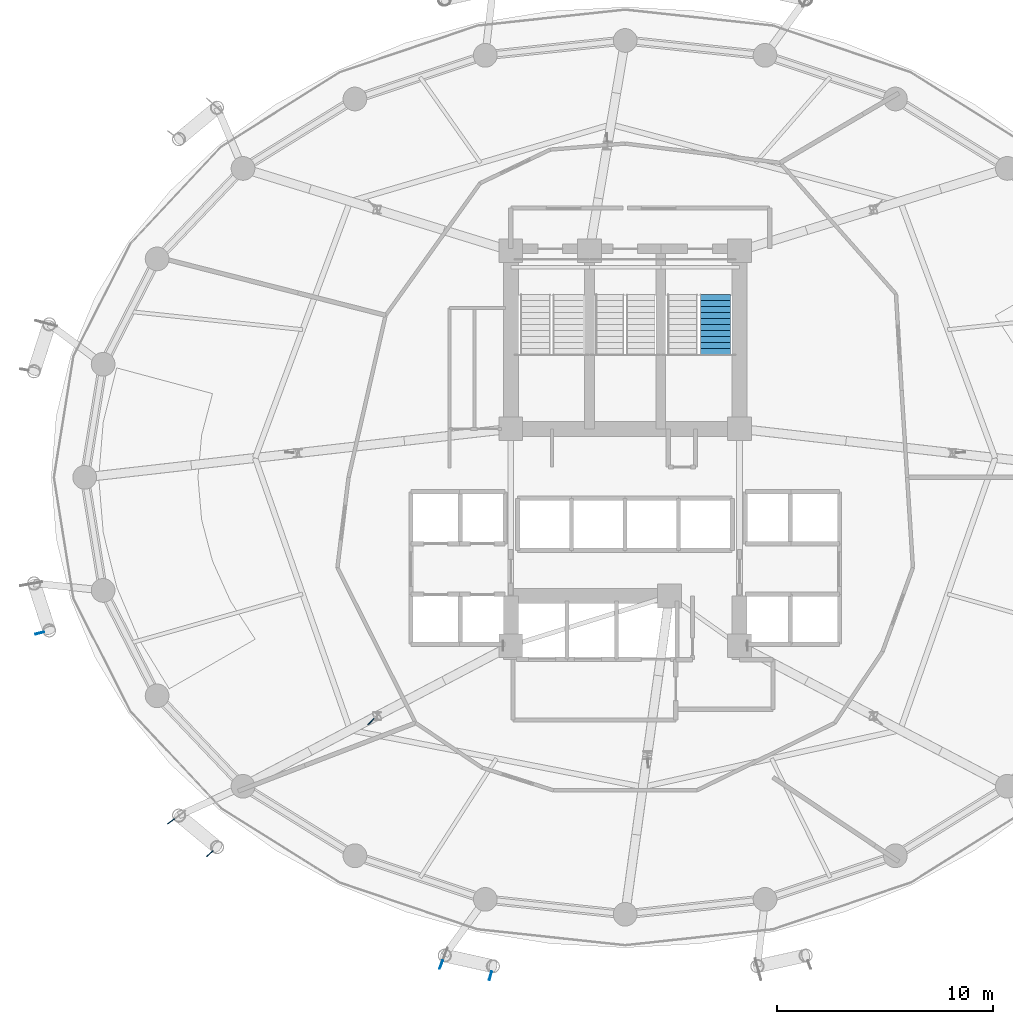
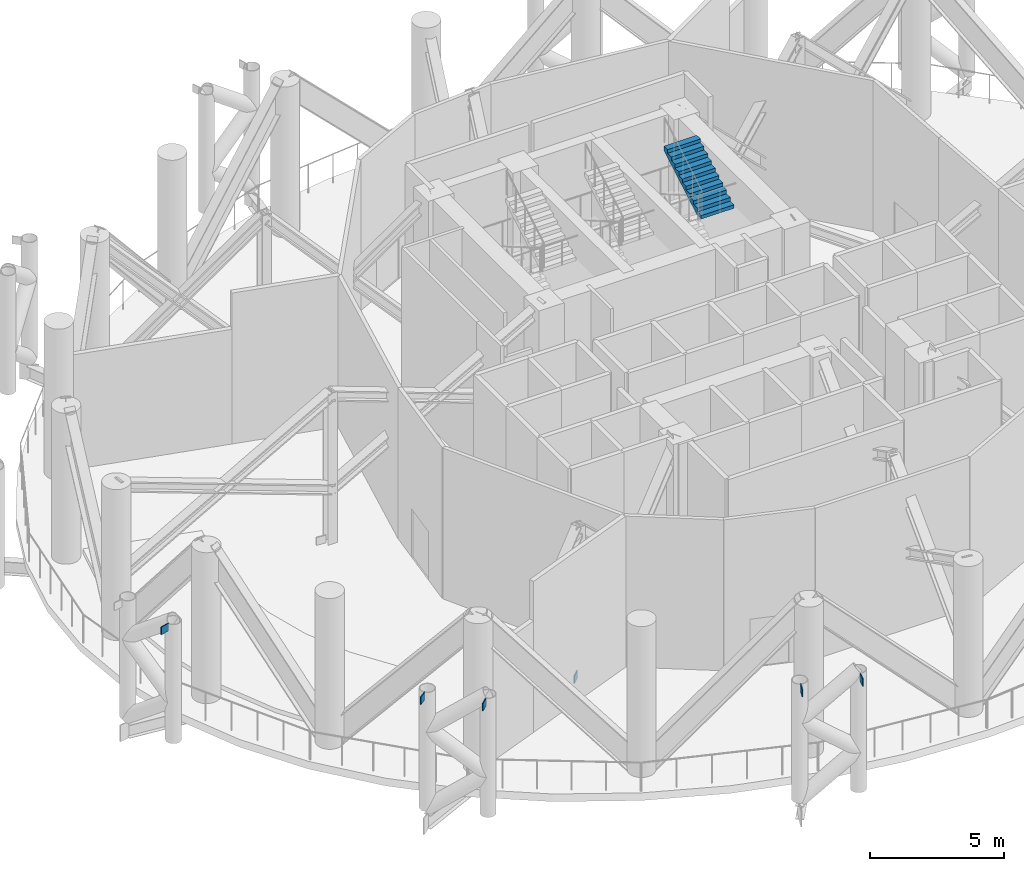
# One storey, part 11 of 19: 6 discrete accessories, 1 stair flight, 1 element without a shape of its own.
"""IFC4 building model written with IfcOpenShell, lengths in metres."""

import ifcopenshell
import ifcopenshell.guid

model = None  # the IFC model being written
_history = None  # IfcOwnerHistory: only IFC2X3 demands one
_inside = {}  # id of a spatial element -> (the spatial element, [elements in it])
_under = {}  # id of a project, library or spatial element -> (it, [spatial elements below it])
_declared = {}  # id of a project -> (the project, [libraries it declares])
_typed = {}  # id of a type object -> (the type object, [elements of that type])
_made_of = {}  # id of a material, layer set ... -> (it, [elements and type objects made of it])


def new_model(schema):
    """Start an empty IFC model of exactly this schema.

    Asked for "IFC4X3", IfcOpenShell would pick the latest addendum, in which some entities
    have other attributes; the version numbers below select the first issue.
    IFC2X3 requires an IfcOwnerHistory on every rooted entity: one is made here for all.
    """
    global model, _history
    if schema == "IFC4X3":
        model = ifcopenshell.file(schema_version=(4, 3, 0, 0))
    else:
        model = ifcopenshell.file(schema=schema)
    _inside.clear()
    _under.clear()
    _declared.clear()
    _typed.clear()
    _made_of.clear()
    _history = None
    if model.schema == "IFC2X3":
        org = make("IfcOrganization", Name="unknown")
        user = make(
            "IfcPersonAndOrganization",
            ThePerson=make("IfcPerson", FamilyName="unknown"),
            TheOrganization=org,
        )
        app = make(
            "IfcApplication",
            ApplicationDeveloper=org,
            Version="unknown",
            ApplicationFullName="unknown",
            ApplicationIdentifier="unknown",
        )
        _history = make(
            "IfcOwnerHistory",
            OwningUser=user,
            OwningApplication=app,
            ChangeAction="ADDED",
            CreationDate=0,
        )
    return model


def make(cls, **values):
    """One entity of the class cls with the attributes given. An attribute that is None is left unset."""
    return model.create_entity(
        cls, **{name: value for name, value in values.items() if value is not None}
    )


def rooted(cls, **values):
    """An entity with a GlobalId (a new one), such as an element, a storey or a relation."""
    return make(cls, GlobalId=ifcopenshell.guid.new(), OwnerHistory=_history, **values)


def si_unit(unit_type, name, prefix=None):
    """IfcSIUnit, for example si_unit("LENGTHUNIT", "METRE", prefix="MILLI")."""
    return make("IfcSIUnit", UnitType=unit_type, Prefix=prefix, Name=name)


def assignment(units):
    """IfcUnitAssignment: the units of a project."""
    return None if units is None else make("IfcUnitAssignment", Units=units)


def point(xyz):
    """IfcCartesianPoint."""
    return None if xyz is None else make("IfcCartesianPoint", Coordinates=xyz)


def direction(xyz):
    """IfcDirection."""
    return None if xyz is None else make("IfcDirection", DirectionRatios=xyz)


def frame(location, z_axis=None, x_axis=None):
    """IfcAxis2Placement3D, a coordinate frame: its origin and axes. An axis left out is left unset."""
    return make(
        "IfcAxis2Placement3D",
        Location=point(location),
        Axis=direction(z_axis),
        RefDirection=direction(x_axis),
    )


def frame_2d(location, x_axis=None):
    """IfcAxis2Placement2D, a coordinate frame in the plane: its origin and x axis."""
    return make(
        "IfcAxis2Placement2D", Location=point(location), RefDirection=direction(x_axis)
    )


def origin():
    """The frame at (0, 0, 0) with its axes left unset."""
    return frame((0.0, 0.0, 0.0))


def origin_2d():
    """The frame at (0, 0) in the plane with its x axis left unset."""
    return frame_2d((0.0, 0.0))


def place(relative_to, where):
    """IfcLocalPlacement: puts the frame where relative to a parent placement (None: the world)."""
    return make(
        "IfcLocalPlacement", PlacementRelTo=relative_to, RelativePlacement=where
    )


def context(
    kind, dimensions, precision=None, world=None, true_north=None, identifier=None
):
    """IfcGeometricRepresentationContext, for example the 3D "Model" context."""
    return make(
        "IfcGeometricRepresentationContext",
        ContextIdentifier=identifier,
        ContextType=kind,
        CoordinateSpaceDimension=dimensions,
        Precision=precision,
        WorldCoordinateSystem=world,
        TrueNorth=true_north,
    )


def subcontext(parent, identifier, kind, view, scale=None):
    """IfcGeometricRepresentationSubContext, for example "Body" below "Model"."""
    return make(
        "IfcGeometricRepresentationSubContext",
        ContextIdentifier=identifier,
        ContextType=kind,
        ParentContext=parent,
        TargetScale=scale,
        TargetView=view,
    )


def project(units=None, contexts=None):
    """IfcProject with its units and contexts."""
    return rooted(
        "IfcProject",
        Name="project",
        RepresentationContexts=contexts,
        UnitsInContext=assignment(units),
    )


def spatial(cls, under=None, at=None, **own):
    """A site, building, storey or space (cls), placed at a placement, below another one or the project."""
    s = rooted(cls, ObjectPlacement=at, **own)
    if under is not None:
        _under.setdefault(under.id(), (under, []))[1].append(s)
    return s


def polyline(points):
    """IfcPolyline through the points."""
    return make("IfcPolyline", Points=[point(p) for p in points])


def profile(cls, at=None, kind="AREA", **sizes):
    """A parametric profile (cls). Its sizes go by their IFC names, for example OverallWidth=200.0."""
    return make(cls, ProfileType=kind, Position=at, **sizes)


def rectangle(**sizes):
    """IfcRectangleProfileDef."""
    return profile("IfcRectangleProfileDef", **sizes)


def outline(outer, holes=None, kind="AREA"):
    """IfcArbitraryClosedProfileDef: a profile drawn as a closed curve; with holes, ...WithVoids."""
    if holes is None:
        return make("IfcArbitraryClosedProfileDef", ProfileType=kind, OuterCurve=outer)
    return make(
        "IfcArbitraryProfileDefWithVoids",
        ProfileType=kind,
        OuterCurve=outer,
        InnerCurves=holes,
    )


def extrude(swept, where, along, depth):
    """IfcExtrudedAreaSolid: the profile swept, set in the frame where, extruded along a direction by depth."""
    return make(
        "IfcExtrudedAreaSolid",
        SweptArea=swept,
        Position=where,
        ExtrudedDirection=direction(along),
        Depth=depth,
    )


def shape(context_of_items, identifier, shape_type, items):
    """IfcShapeRepresentation: the items that make up one representation, for example the "Body"."""
    return make(
        "IfcShapeRepresentation",
        ContextOfItems=context_of_items,
        RepresentationIdentifier=identifier,
        RepresentationType=shape_type,
        Items=items,
    )


def material(Name=None, Category=None):
    """IfcMaterial."""
    return make("IfcMaterial", Name=Name, Category=Category)


def made_of(thing, what):
    """Note that an element or type object is made of a material, layer set ...; save() writes the relation."""
    if what is not None:
        _made_of.setdefault(what.id(), (what, []))[1].append(thing)
    return thing


def type_object(cls, material=None, **own):
    """A type object (cls), such as IfcWallType, which elements share."""
    return made_of(rooted(cls, **own), material)


def element(
    cls,
    number,
    at=None,
    inside=None,
    cuts=None,
    type_object=None,
    material=None,
    context=None,
    identifier="Body",
    shape_type=None,
    held_by="IfcProductDefinitionShape",
    body=None,
    shapes=None,
    **own,
):
    """One element of the class cls, such as IfcWall. Its Tag is "e" and its number.

    at: its placement. inside: the storey or other place that contains it. cuts: it is an
    opening in that element (IfcRelVoidsElement). A single representation is given by context,
    identifier, shape_type and body (its items); several are given by shapes. held_by: the class
    of the entity that holds the representations. save() writes the other relations.
    """
    e = rooted(cls, Tag="e%d" % number, ObjectPlacement=at, **own)
    if body is not None:
        shapes = [shape(context, identifier, shape_type, body)]
    if shapes is not None:
        e.Representation = make(held_by, Representations=shapes)
    if inside is not None:
        _inside.setdefault(inside.id(), (inside, []))[1].append(e)
    if cuts is not None:
        rooted(
            "IfcRelVoidsElement", RelatingBuildingElement=cuts, RelatedOpeningElement=e
        )
    if type_object is not None:
        _typed.setdefault(type_object.id(), (type_object, []))[1].append(e)
    return made_of(e, material)


def aggregate(whole, parts):
    """IfcRelAggregates: a whole, such as a stair, and the parts it consists of."""
    return rooted("IfcRelAggregates", RelatingObject=whole, RelatedObjects=parts)


def save(model, path):
    """Write the relations noted so far, then the file.

    IfcRelAggregates (storeys below a building ...), IfcRelContainedInSpatialStructure (elements
    in a storey), IfcRelDefinesByType, IfcRelAssociatesMaterial and IfcRelDeclares: one each for
    every whole, place, type object, material and project.
    """
    for whole, parts in _under.values():
        aggregate(whole, parts)
    for where, things in _inside.values():
        rooted(
            "IfcRelContainedInSpatialStructure",
            RelatedElements=things,
            RelatingStructure=where,
        )
    for kind, things in _typed.values():
        rooted("IfcRelDefinesByType", RelatedObjects=things, RelatingType=kind)
    for what, things in _made_of.values():
        rooted("IfcRelAssociatesMaterial", RelatedObjects=things, RelatingMaterial=what)
    for by, libraries in _declared.values():
        rooted("IfcRelDeclares", RelatingContext=by, RelatedDefinitions=libraries)
    model.write(path)


model = new_model("IFC4")

# Units and contexts
model_context = context("Model", 3, precision=1e-05, world=origin(), true_north=direction((0.0, 1.0)))
body_context = subcontext(model_context, "Body", "Model", "MODEL_VIEW")
ifc_project = project(units=[si_unit("LENGTHUNIT", "METRE"), si_unit("AREAUNIT", "SQUARE_METRE"), si_unit("VOLUMEUNIT", "CUBIC_METRE"), si_unit("PLANEANGLEUNIT", "RADIAN"), si_unit("MASSUNIT", "GRAM", prefix="KILO")], contexts=[model_context])

# Site, building, storey
site_placement = place(None, origin())
site = spatial("IfcSite", under=ifc_project, at=site_placement, CompositionType="ELEMENT")
building_placement = place(site_placement, origin())
building = spatial("IfcBuilding", under=site, at=building_placement, Name="Nuhasar Tower", CompositionType="ELEMENT")
storey_placement = place(building_placement, frame((0.0, 0.0, 106.050048828125)))
storey = spatial("IfcBuildingStorey", under=building, at=storey_placement, Name="L25", CompositionType="ELEMENT", Elevation=106.050048828125)

# Stair, stair flight
ifc_material_1 = material(Name="Concrete C45/55", Category="concrete")
stair_type = type_object("IfcStairType", Name="STR-ST-02-4F-44R-1636", PredefinedType="HALF_TURN_STAIR", material=ifc_material_1)
stair_placement = place(storey_placement, origin())
stair = element("IfcStair", 1, at=stair_placement, inside=storey, type_object=stair_type, Name="L25 Exit Stair ST-02", PredefinedType="HALF_TURN_STAIR")
stair_flight_type = type_object("IfcStairFlightType", Name="SFL-ST-02-11R-1636", PredefinedType="STRAIGHT", material=ifc_material_1)
stair_flight_placement = place(storey_placement, frame((43.169921875, 32.485107421875, 5.39990234375), z_axis=(0.0, 0.0, 1.0), x_axis=(0.0, 1.0, 0.0)))
stair_flight = element("IfcStairFlight", 2, at=stair_flight_placement, type_object=stair_flight_type, Name="ST-02 flight 4", NumberOfRisers=11, NumberOfTreads=10, PredefinedType="STRAIGHT", RiserHeight=0.163636, TreadLength=0.28, context=body_context, shape_type="SweptSolid", body=[
    extrude(outline(polyline([(0.0, 0.0), (0.0, 0.16357421875), (0.280029296875, 0.16357421875), (0.280029296875, 0.327392578125), (0.56005859375, 0.327392578125), (0.56005859375, 0.490966796875), (0.840087890625, 0.490966796875), (0.840087890625, 0.654541015625), (1.1201171875, 0.654541015625), (1.1201171875, 0.818115234375), (1.39990234375, 0.818115234375), (1.39990234375, 0.98193359375), (1.679931640625, 0.98193359375), (1.679931640625, 1.1455078125), (1.9599609375, 1.1455078125), (1.9599609375, 1.30908203125), (2.239990234375, 1.30908203125), (2.239990234375, 1.47265625), (2.52001953125, 1.47265625), (2.52001953125, 1.636474609375), (2.800048828125, 1.636474609375), (2.800048828125, 1.800048828125), (2.800048828125, 1.451171875), (0.31689453125, 0.0), (0.0, 0.0)])), frame((0.0, 0.7099609375, 0.0), z_axis=(0.0, -1.0, 0.0), x_axis=(1.0, 0.0, 0.0)), (0.0, 0.0, 1.0), 1.419921875),
])
aggregate(stair, [stair_flight])

# Discrete accessories
ifc_material_2 = material(Name="Steel S460", Category="steel")
discrete_accessory_type = type_object("IfcDiscreteAccessoryType", Name="ACC-GUS-40", PredefinedType="USERDEFINED", material=ifc_material_2)
for number, where, z_axis, x_axis, name in (
    (3, (11.867919921875, 19.583984375, 5.079833984375), (0.0, 0.0, 1.0), (-0.966403000906, -0.257031593079, 0.0), "L25 Exoskeleton Chord Column EC-07B Gusset Plate"),
    (4, (17.951904296875, 10.85400390625, 5.079833984375), (0.0, 0.0, 1.0), (-0.797078306655, -0.60387595834, 0.0), "L25 Exoskeleton Chord Column EC-08A Gusset Plate"),
    (5, (19.75, 9.35498046875, 5.079833984375), (0.0, 0.0, 1.0), (-0.741003867187, -0.671500758611, 0.0), "L25 Exoskeleton Chord Column EC-08B Gusset Plate"),
    (6, (30.468994140625, 4.214111328125, 5.079833984375), (0.0, 0.0, 1.0), (-0.353344227708, -0.93549337611, 0.0), "L25 Exoskeleton Chord Column EC-09A Gusset Plate"),
    (7, (32.757080078125, 3.701904296875, 5.079833984375), (0.0, 0.0, 1.0), (-0.260908902007, -0.965363426308, 0.0), "L25 Exoskeleton Chord Column EC-09B Gusset Plate"),
    (8, (27.219970703125, 15.47802734375, 0.0), (0.0, 0.0, 1.0), (-0.720974552288, -0.692961539303, 0.0), "L25 Outrigger Truss Post 01 Gusset Plate"),
):
    element("IfcDiscreteAccessory", number, at=place(storey_placement, frame(where, z_axis=z_axis, x_axis=x_axis)), inside=storey, type_object=discrete_accessory_type, Name=name, ObjectType="STEEL_GUSSET_PLATE", PredefinedType="USERDEFINED", context=body_context, shape_type="SweptSolid", body=[
        extrude(rectangle(XDim=0.39990234375, YDim=0.0400390625, at=origin_2d()), origin(), (0.0, 0.0, 1.0), 0.35009765625),
    ])

save(model, "model.ifc")
